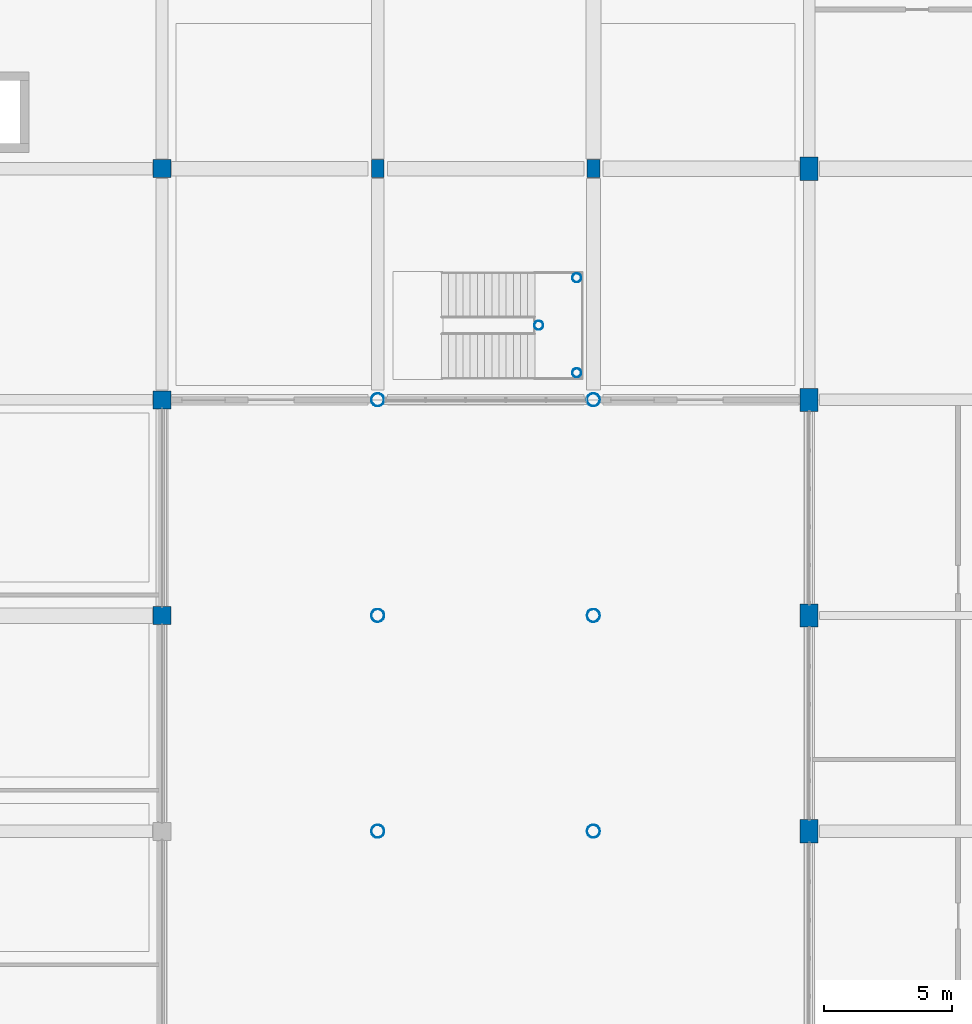
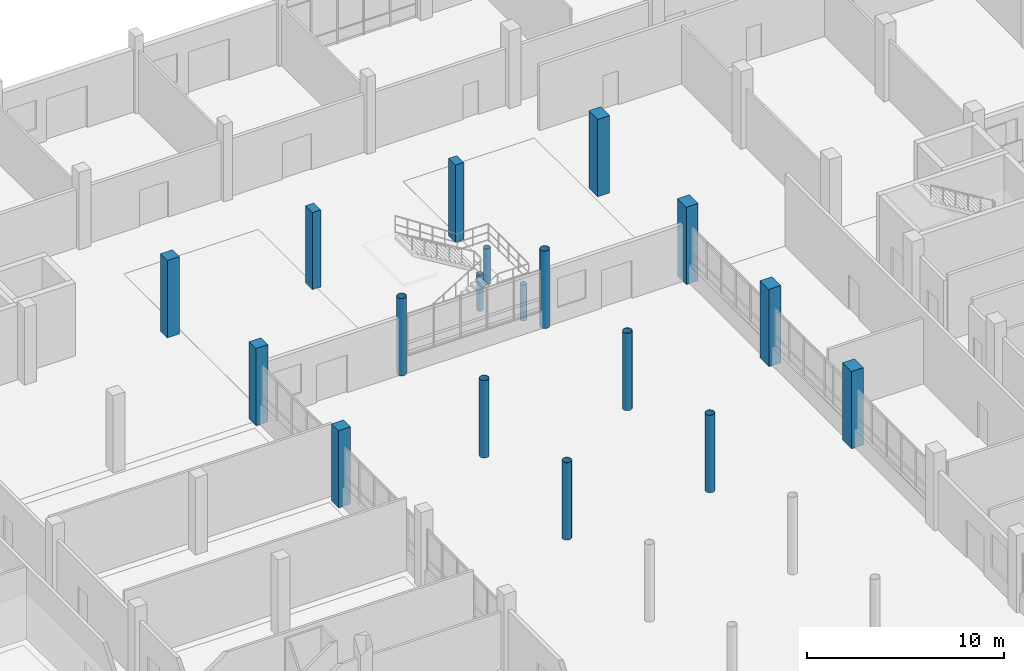
# One storey, part 8 of 95: 18 columns.
"""IFC4 building model written with IfcOpenShell, lengths in metres."""

from ifc_helpers import new_model, si_unit, direction, frame, origin, origin_2d, place, context, subcontext, project, spatial, rectangle, hollow_circle, extrude, material, material_profile, profile_set, type_object, element, save


model = new_model("IFC4")

# Units and contexts
model_context = context("Model", 3, precision=1e-05, world=origin(), true_north=direction((0.0, 1.0)))
body_context = subcontext(model_context, "Body", "Model", "MODEL_VIEW")
ifc_project = project(units=[si_unit("LENGTHUNIT", "METRE"), si_unit("AREAUNIT", "SQUARE_METRE"), si_unit("VOLUMEUNIT", "CUBIC_METRE"), si_unit("PLANEANGLEUNIT", "RADIAN"), si_unit("MASSUNIT", "GRAM", prefix="KILO")], contexts=[model_context])

# Site, building, storey
site_placement = place(None, origin())
site = spatial("IfcSite", under=ifc_project, at=site_placement, CompositionType="ELEMENT")
building_placement = place(site_placement, origin())
building = spatial("IfcBuilding", under=site, at=building_placement, Name="Vireocrest Preparatory School", CompositionType="ELEMENT")
storey_placement = place(building_placement, origin())
storey = spatial("IfcBuildingStorey", under=building, at=storey_placement, Name="L00", CompositionType="ELEMENT", Elevation=0.0)

# Columns
ifc_material_1 = material(Name="Concrete 45 MPa", Category="concrete")
ifc_material_profile_1 = material_profile(ifc_material_1, rectangle(XDim=0.699951171875, YDim=0.699951171875, at=origin_2d()), Name="RC 700x700")
ifc_profile_set_1 = profile_set([ifc_material_profile_1], Name="Concrete 45 MPa")
column_type_1 = type_object("IfcColumnType", Name="RC Column 700x700", PredefinedType="COLUMN", material=ifc_profile_set_1)
for number, where, z_axis, x_axis, name in (
    (1, (67.199951171875, 77.39990234375, 0.0), (0.0, 0.0, 1.0), (1.0, 0.0, 0.0), "Column C07 L00 9/K"),
    (2, (67.199951171875, 85.800048828125, 0.0), (0.0, 0.0, 1.0), (1.0, 0.0, 0.0), "Column C07 L00 9/L"),
    (3, (67.199951171875, 94.800048828125, 0.0), (0.0, 0.0, 1.0), (1.0, 0.0, 0.0), "Column C07 L00 9/M"),
):
    element("IfcColumn", number, at=place(storey_placement, frame(where, z_axis=z_axis, x_axis=x_axis)), inside=storey, type_object=column_type_1, Name=name, PredefinedType="COLUMN", context=body_context, shape_type="SweptSolid", body=[
        extrude(rectangle(XDim=0.699951171875, YDim=0.699951171875, at=origin_2d()), origin(), (0.0, 0.0, 1.0), 4.800048828125),
    ])
ifc_material_profile_2 = material_profile(ifc_material_1, rectangle(XDim=0.5, YDim=0.699951171875, at=origin_2d()), Name="RC 500x700")
ifc_profile_set_2 = profile_set([ifc_material_profile_2], Name="Concrete 45 MPa")
column_type_2 = type_object("IfcColumnType", Name="RC Hall Column 500x700", PredefinedType="COLUMN", material=ifc_profile_set_2)
for number, where, z_axis, x_axis, name in (
    (4, (75.60009765625, 94.800048828125, 0.0), (0.0, 0.0, 1.0), (1.0, 0.0, 0.0), "Column C12 L00 10/M"),
    (5, (84.0, 94.800048828125, 0.0), (0.0, 0.0, 1.0), (1.0, 0.0, 0.0), "Column C12 L00 11/M"),
):
    element("IfcColumn", number, at=place(storey_placement, frame(where, z_axis=z_axis, x_axis=x_axis)), inside=storey, type_object=column_type_2, Name=name, PredefinedType="COLUMN", context=body_context, shape_type="SweptSolid", body=[
        extrude(rectangle(XDim=0.5, YDim=0.699951171875, at=origin_2d()), origin(), (0.0, 0.0, 1.0), 4.800048828125),
    ])
ifc_material_profile_3 = material_profile(ifc_material_1, rectangle(XDim=0.699951171875, YDim=0.89990234375, at=origin_2d()), Name="RC 700x900")
ifc_profile_set_3 = profile_set([ifc_material_profile_3], Name="Concrete 45 MPa")
column_type_3 = type_object("IfcColumnType", Name="RC Transfer Column 700x900", PredefinedType="COLUMN", material=ifc_profile_set_3)
for number, where, z_axis, x_axis, name in (
    (6, (92.39990234375, 69.0, 0.0), (0.0, 0.0, 1.0), (1.0, 0.0, 0.0), "Column C16 L00 12/J"),
    (7, (92.39990234375, 77.39990234375, 0.0), (0.0, 0.0, 1.0), (1.0, 0.0, 0.0), "Column C16 L00 12/K"),
    (8, (92.39990234375, 85.800048828125, 0.0), (0.0, 0.0, 1.0), (1.0, 0.0, 0.0), "Column C16 L00 12/L"),
    (9, (92.39990234375, 94.800048828125, 0.0), (0.0, 0.0, 1.0), (1.0, 0.0, 0.0), "Column C16 L00 12/M"),
):
    element("IfcColumn", number, at=place(storey_placement, frame(where, z_axis=z_axis, x_axis=x_axis)), inside=storey, type_object=column_type_3, Name=name, PredefinedType="COLUMN", context=body_context, shape_type="SweptSolid", body=[
        extrude(rectangle(XDim=0.699951171875, YDim=0.89990234375, at=origin_2d()), origin(), (0.0, 0.0, 1.0), 4.800048828125),
    ])
ifc_material_2 = material(Name="Painted white steel ASTM A500 Grade C", Category="steel")
ifc_material_profile_4 = material_profile(ifc_material_2, hollow_circle(Radius=0.177734375, WallThickness=0.0126953125, at=origin_2d()), Name="HSS14.000X0.500")
ifc_profile_set_4 = profile_set([ifc_material_profile_4], Name="Painted white steel ASTM A500 Grade C")
column_type_4 = type_object("IfcColumnType", Name="White Steel Concourse Piloti HSS14.000X0.500", PredefinedType="USERDEFINED", material=ifc_profile_set_4)
for number, where, z_axis, x_axis, name in (
    (10, (83.35009765625, 86.85009765625, 0.0), (0.0, 0.0, 1.0), (1.0, 0.0, 0.0), "Feature Stair Landing Support Post SE"),
    (11, (83.35009765625, 90.550048828125, 0.0), (0.0, 0.0, 1.0), (1.0, 0.0, 0.0), "Feature Stair Landing Support Post NE"),
    (12, (81.8701171875, 88.699951171875, 0.0), (0.0, 0.0, 1.0), (1.0, 0.0, 0.0), "Feature Stair Landing Support Post W"),
):
    element("IfcColumn", number, at=place(storey_placement, frame(where, z_axis=z_axis, x_axis=x_axis)), inside=storey, type_object=column_type_4, Name=name, ObjectType="PILOTI", PredefinedType="USERDEFINED", context=body_context, shape_type="SweptSolid", body=[
        extrude(hollow_circle(Radius=0.177734375, WallThickness=0.0126953125, at=origin_2d()), origin(), (0.0, 0.0, 1.0), 2.235107421875),
    ])
ifc_material_profile_5 = material_profile(ifc_material_2, hollow_circle(Radius=0.25390625, WallThickness=0.0126953125, at=origin_2d()), Name="HSS20.000X0.500")
ifc_profile_set_5 = profile_set([ifc_material_profile_5], Name="Painted white steel ASTM A500 Grade C")
column_type_5 = type_object("IfcColumnType", Name="White Steel Court Trunk HSS20.000X0.500", PredefinedType="USERDEFINED", material=ifc_profile_set_5)
for number, where, z_axis, x_axis, name in (
    (13, (75.60009765625, 69.0, 0.0), (0.0, 0.0, 1.0), (1.0, 0.0, 0.0), "Court Canopy Trunk VC1 W6 L00"),
    (14, (84.0, 69.0, 0.0), (0.0, 0.0, 1.0), (1.0, 0.0, 0.0), "Court Canopy Trunk VC1 E6 L00"),
    (15, (75.60009765625, 77.39990234375, 0.0), (0.0, 0.0, 1.0), (1.0, 0.0, 0.0), "Court Canopy Trunk VC1 W7 L00"),
    (16, (84.0, 77.39990234375, 0.0), (0.0, 0.0, 1.0), (1.0, 0.0, 0.0), "Court Canopy Trunk VC1 E7 L00"),
    (17, (75.60009765625, 85.800048828125, 0.0), (0.0, 0.0, 1.0), (1.0, 0.0, 0.0), "Court Canopy Trunk VC1 W8 L00"),
    (18, (84.0, 85.800048828125, 0.0), (0.0, 0.0, 1.0), (1.0, 0.0, 0.0), "Court Canopy Trunk VC1 E8 L00"),
):
    element("IfcColumn", number, at=place(storey_placement, frame(where, z_axis=z_axis, x_axis=x_axis)), inside=storey, type_object=column_type_5, Name=name, ObjectType="PILOTI", PredefinedType="USERDEFINED", context=body_context, shape_type="SweptSolid", body=[
        extrude(hollow_circle(Radius=0.25390625, WallThickness=0.0126953125, at=origin_2d()), origin(), (0.0, 0.0, 1.0), 4.800048828125),
    ])

save(model, "model.ifc")
